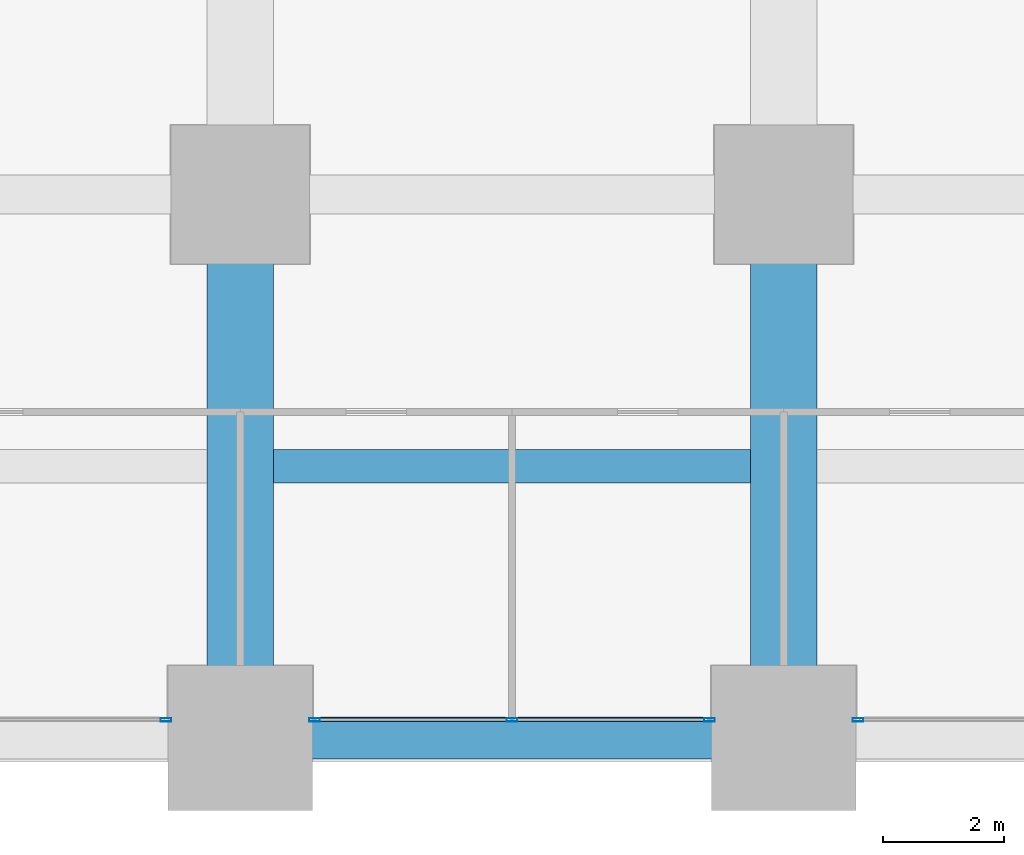
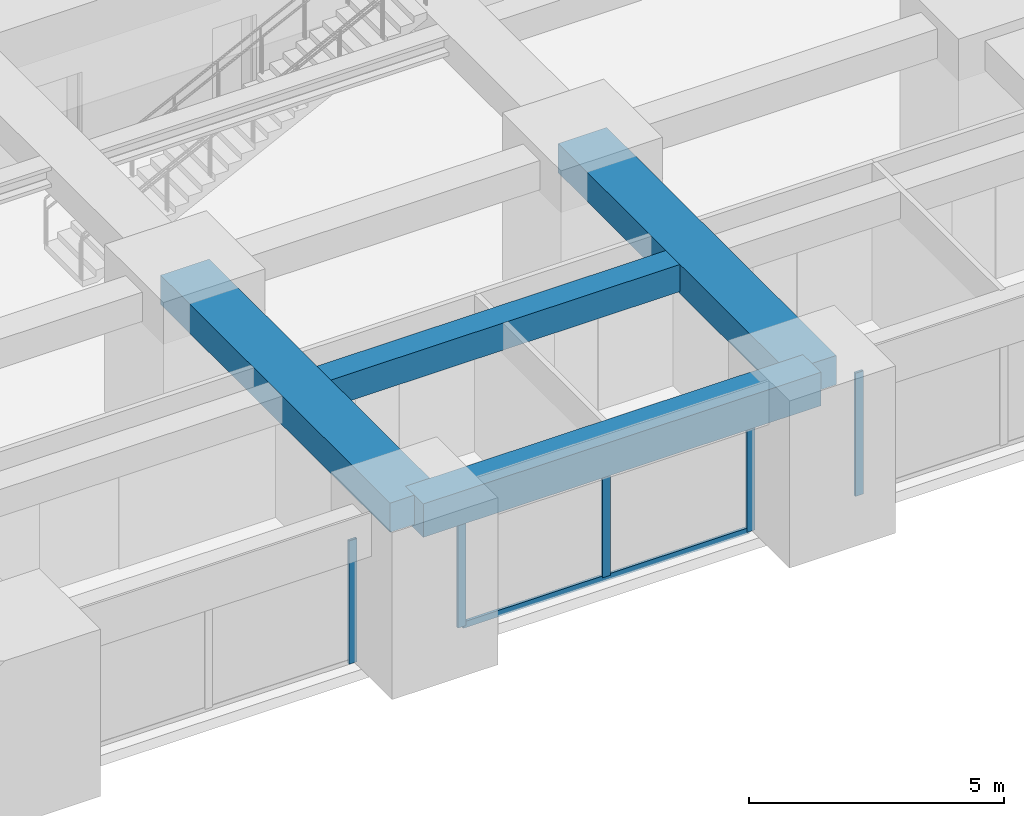
# One storey, part 13 of 45: 6 members, 4 beams, 3 elements without a shape of their own.
"""IFC4 building model written with IfcOpenShell, lengths in metres."""

from ifc_helpers import new_model, si_unit, direction, frame, origin, origin_2d, place, context, subcontext, project, spatial, rectangle, hollow_rectangle, extrude, material, material_profile, profile_set, type_object, element, aggregate, save


model = new_model("IFC4")

# Units and contexts
model_context = context("Model", 3, precision=1e-05, world=origin(), true_north=direction((0.0, 1.0)))
body_context = subcontext(model_context, "Body", "Model", "MODEL_VIEW")
ifc_project = project(units=[si_unit("LENGTHUNIT", "METRE"), si_unit("AREAUNIT", "SQUARE_METRE"), si_unit("VOLUMEUNIT", "CUBIC_METRE"), si_unit("PLANEANGLEUNIT", "RADIAN"), si_unit("MASSUNIT", "GRAM", prefix="KILO")], contexts=[model_context])

# Site, building, storey
site_placement = place(None, origin())
site = spatial("IfcSite", under=ifc_project, at=site_placement, CompositionType="ELEMENT")
building_placement = place(site_placement, origin())
building = spatial("IfcBuilding", under=site, at=building_placement, Name="Zorevar Civic Tower", CompositionType="ELEMENT")
storey_placement = place(building_placement, frame((0.0, 0.0, 23.800048828125)))
storey = spatial("IfcBuildingStorey", under=building, at=storey_placement, Name="L05", CompositionType="ELEMENT", Elevation=23.800048828125)

# Beams
ifc_material_1 = material(Name="Concrete C50/60", Category="concrete")
ifc_material_profile_1 = material_profile(ifc_material_1, rectangle(XDim=1.10009765625, YDim=0.699951171875, at=origin_2d()), Name="RC 1100x700")
ifc_profile_set_1 = profile_set([ifc_material_profile_1], Name="Concrete C50/60")
beam_type_1 = type_object("IfcBeamType", Name="Beam RC 1100x700", PredefinedType="BEAM", material=ifc_profile_set_1)
for number, where, z_axis, x_axis, name in (
    (1, (36.0, 0.0, 3.39990234375), (0.0, 1.0, 0.0), (-1.0, 0.0, 0.0), "Girder L06"),
    (2, (45.0, 0.0, 3.39990234375), (0.0, 1.0, 0.0), (-1.0, 0.0, 0.0), "Girder L06"),
):
    element("IfcBeam", number, at=place(storey_placement, frame(where, z_axis=z_axis, x_axis=x_axis)), inside=storey, type_object=beam_type_1, Name=name, PredefinedType="BEAM", context=body_context, shape_type="SweptSolid", body=[
        extrude(rectangle(XDim=1.10009765625, YDim=0.699951171875, at=origin_2d()), origin(), (0.0, 0.0, 1.0), 9.0),
    ])
ifc_material_2 = material(Name="Concrete C50/60", Category="concrete")
ifc_material_profile_2 = material_profile(ifc_material_2, rectangle(XDim=0.550048828125, YDim=0.64990234375, at=origin_2d()), Name="RC 550x650")
ifc_profile_set_2 = profile_set([ifc_material_profile_2], Name="Concrete C50/60")
beam_type_2 = type_object("IfcBeamType", Name="Beam RC 550x650", PredefinedType="BEAM", material=ifc_profile_set_2)
beam_1_placement = place(storey_placement, frame((36.550048828125, 4.5, 3.425048828125), z_axis=(1.0, 0.0, 0.0), x_axis=(0.0, 1.0, 0.0)))
element("IfcBeam", 3, at=beam_1_placement, inside=storey, type_object=beam_type_2, Name="Secondary beam L06", PredefinedType="BEAM", context=body_context, shape_type="SweptSolid", body=[
    extrude(rectangle(XDim=0.550048828125, YDim=0.64990234375, at=origin_2d()), origin(), (0.0, 0.0, 1.0), 7.89990234375),
])

# Curtain wall, member
ifc_material_3 = material(Name="Dark grey solar-control glass in black aluminium frame", Category="aluminium")
curtain_wall_type = type_object("IfcCurtainWallType", Name="Curtain wall CW2 low zone", PredefinedType="NOTDEFINED", material=ifc_material_3)
curtain_wall_1_placement = place(storey_placement, origin())
curtain_wall_1 = element("IfcCurtainWall", 4, at=curtain_wall_1_placement, inside=storey, type_object=curtain_wall_type, Name="CW2 L05", PredefinedType="NOTDEFINED")
ifc_material_4 = material(Name="Aluminium, black anodised", Category="aluminium")
ifc_material_profile_3 = material_profile(ifc_material_4, hollow_rectangle(XDim=0.06005859375, YDim=0.179931640625, WallThickness=0.00390625, at=origin_2d()), Name="AL 180x60x4")
ifc_profile_set_3 = profile_set([ifc_material_profile_3], Name="Aluminium, black anodised")
member_type_1 = type_object("IfcMemberType", Name="CW2 mullion AL 180x60x4", PredefinedType="MULLION", material=ifc_profile_set_3)
member_1_placement = place(storey_placement, frame((34.77001953125, 0.300048828125, 0.0), z_axis=(0.0, 0.0, 1.0), x_axis=(0.0, 1.0, 0.0)))
member_1 = element("IfcMember", 5, at=member_1_placement, type_object=member_type_1, Name="CW2 mullion 3", PredefinedType="MULLION", context=body_context, shape_type="SweptSolid", body=[
    extrude(hollow_rectangle(XDim=0.06005859375, YDim=0.179931640625, WallThickness=0.00390625, at=origin_2d()), origin(), (0.0, 0.0, 1.0), 2.949951171875),
])
aggregate(curtain_wall_1, [member_1])

# Curtain wall, members
curtain_wall_2_placement = place(storey_placement, origin())
curtain_wall_2 = element("IfcCurtainWall", 6, at=curtain_wall_2_placement, inside=storey, type_object=curtain_wall_type, Name="CW2 L05", PredefinedType="NOTDEFINED")
member_2_placement = place(storey_placement, frame((37.22998046875, 0.300048828125, 0.0), z_axis=(0.0, 0.0, 1.0), x_axis=(0.0, 1.0, 0.0)))
member_2 = element("IfcMember", 7, at=member_2_placement, type_object=member_type_1, Name="CW2 mullion 1", PredefinedType="MULLION", context=body_context, shape_type="SweptSolid", body=[
    extrude(hollow_rectangle(XDim=0.06005859375, YDim=0.179931640625, WallThickness=0.00390625, at=origin_2d()), origin(), (0.0, 0.0, 1.0), 2.949951171875),
])
member_3_placement = place(storey_placement, frame((40.5, 0.300048828125, 0.06005859375), z_axis=(0.0, 0.0, 1.0), x_axis=(0.0, 1.0, 0.0)))
member_3 = element("IfcMember", 8, at=member_3_placement, type_object=member_type_1, Name="CW2 mullion 2", PredefinedType="MULLION", context=body_context, shape_type="SweptSolid", body=[
    extrude(hollow_rectangle(XDim=0.06005859375, YDim=0.179931640625, WallThickness=0.00390625, at=origin_2d()), origin(), (0.0, 0.0, 1.0), 2.889892578125),
])
member_4_placement = place(storey_placement, frame((43.77001953125, 0.300048828125, 0.0), z_axis=(0.0, 0.0, 1.0), x_axis=(0.0, 1.0, 0.0)))
member_4 = element("IfcMember", 9, at=member_4_placement, type_object=member_type_1, Name="CW2 mullion 3", PredefinedType="MULLION", context=body_context, shape_type="SweptSolid", body=[
    extrude(hollow_rectangle(XDim=0.06005859375, YDim=0.179931640625, WallThickness=0.00390625, at=origin_2d()), origin(), (0.0, 0.0, 1.0), 2.949951171875),
])

# Curtain wall, member
curtain_wall_3_placement = place(storey_placement, origin())
curtain_wall_3 = element("IfcCurtainWall", 10, at=curtain_wall_3_placement, inside=storey, type_object=curtain_wall_type, Name="CW2 L05", PredefinedType="NOTDEFINED")
member_5_placement = place(storey_placement, frame((46.22998046875, 0.300048828125, 0.0), z_axis=(0.0, 0.0, 1.0), x_axis=(0.0, 1.0, 0.0)))
member_5 = element("IfcMember", 11, at=member_5_placement, type_object=member_type_1, Name="CW2 mullion 1", PredefinedType="MULLION", context=body_context, shape_type="SweptSolid", body=[
    extrude(hollow_rectangle(XDim=0.06005859375, YDim=0.179931640625, WallThickness=0.00390625, at=origin_2d()), origin(), (0.0, 0.0, 1.0), 2.949951171875),
])
aggregate(curtain_wall_3, [member_5])

# Member
ifc_material_5 = material(Name="Aluminium, black anodised", Category="aluminium")
ifc_material_profile_4 = material_profile(ifc_material_5, hollow_rectangle(XDim=0.06005859375, YDim=0.14990234375, WallThickness=0.00390625, at=origin_2d()), Name="AL 150x60x4")
ifc_profile_set_4 = profile_set([ifc_material_profile_4], Name="Aluminium, black anodised")
member_type_2 = type_object("IfcMemberType", Name="CW2 transom AL 150x60x4", PredefinedType="USERDEFINED", material=ifc_profile_set_4)
member_6_placement = place(storey_placement, frame((37.260009765625, 0.300048828125, 0.030029296875), z_axis=(1.0, 0.0, 0.0), x_axis=(0.0, 1.0, 0.0)))
member_6 = element("IfcMember", 12, at=member_6_placement, type_object=member_type_2, Name="CW2 sill transom", ObjectType="TRANSOM", PredefinedType="USERDEFINED", context=body_context, shape_type="SweptSolid", body=[
    extrude(hollow_rectangle(XDim=0.06005859375, YDim=0.14990234375, WallThickness=0.00390625, at=origin_2d()), origin(), (0.0, 0.0, 1.0), 6.47998046875),
])

aggregate(curtain_wall_2, [member_2, member_3, member_4, member_6])

# Beam
ifc_material_6 = material(Name="Concrete C50/60", Category="concrete")
ifc_material_profile_5 = material_profile(ifc_material_6, rectangle(XDim=0.699951171875, YDim=0.800048828125, at=origin_2d()), Name="RC 700x800")
ifc_profile_set_5 = profile_set([ifc_material_profile_5], Name="Concrete C50/60")
beam_type_3 = type_object("IfcBeamType", Name="Edge beam RC 700x800", PredefinedType="SPANDREL", material=ifc_profile_set_5)
beam_2_placement = place(storey_placement, frame((36.0, 0.0, 3.349853515625), z_axis=(1.0, 0.0, 0.0), x_axis=(0.0, 1.0, 0.0)))
element("IfcBeam", 13, at=beam_2_placement, inside=storey, type_object=beam_type_3, Name="Edge beam L06", PredefinedType="SPANDREL", context=body_context, shape_type="SweptSolid", body=[
    extrude(rectangle(XDim=0.699951171875, YDim=0.800048828125, at=origin_2d()), origin(), (0.0, 0.0, 1.0), 9.0),
])

save(model, "model.ifc")
